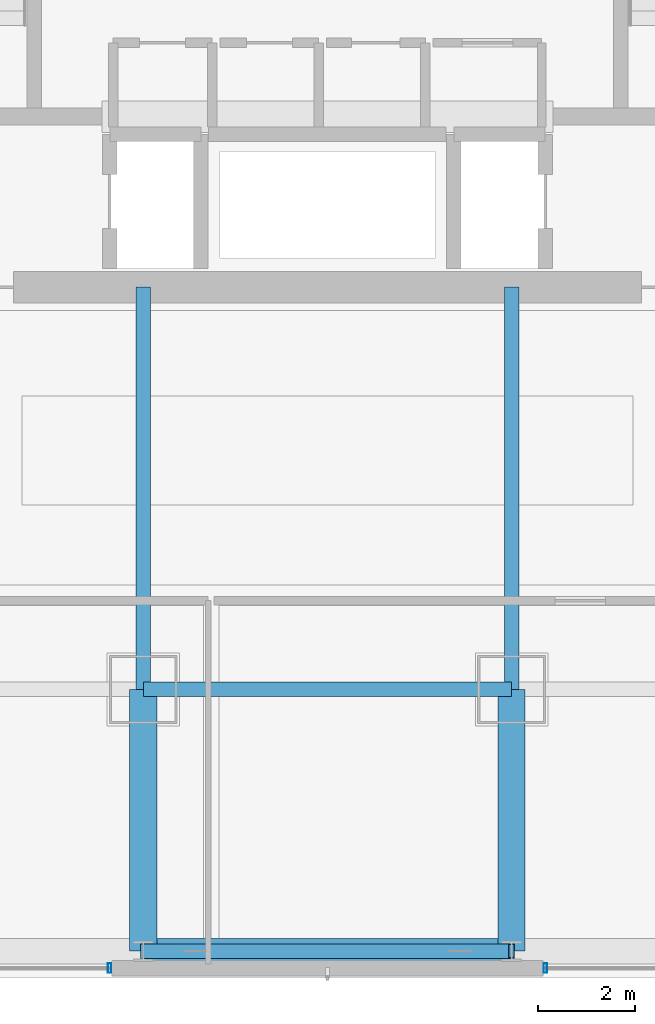
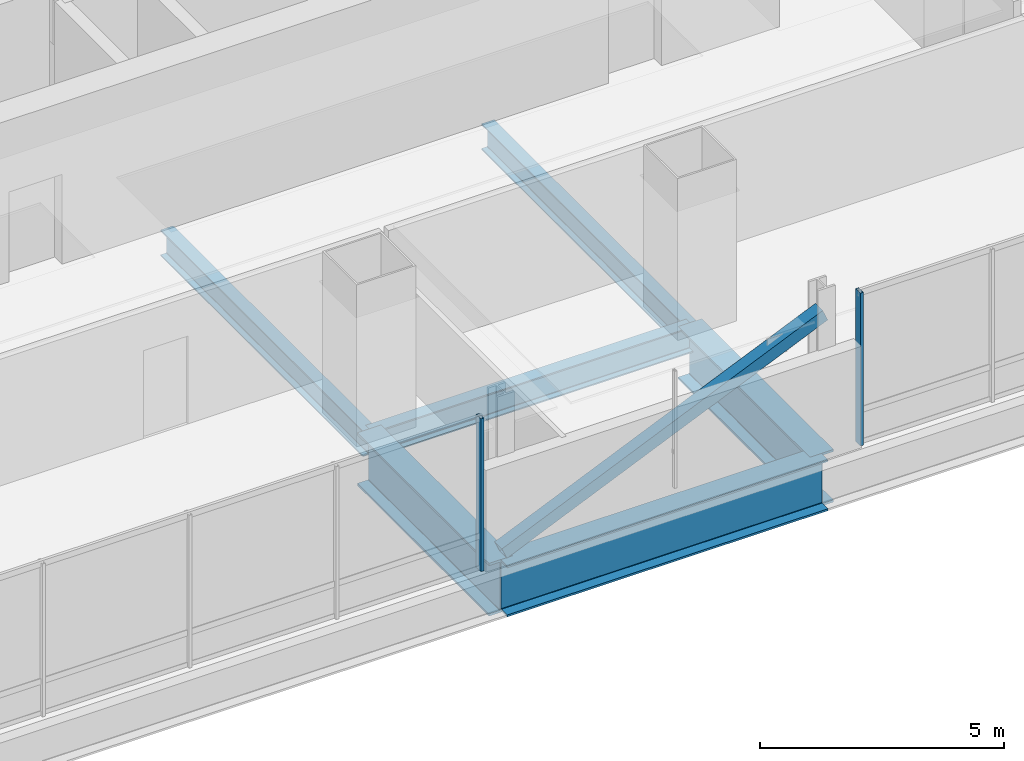
# One storey, part 7 of 38: 6 beams, 3 members, 2 elements without a shape of their own.
"""IFC4 building model written with IfcOpenShell, lengths in metres."""

from ifc_helpers import new_model, si_unit, direction, frame, origin, origin_2d, place, context, subcontext, project, spatial, hollow_rectangle, i_section, extrude, material, material_profile, profile_set, type_object, element, aggregate, save


model = new_model("IFC4")

# Units and contexts
model_context = context("Model", 3, precision=1e-05, world=origin(), true_north=direction((0.0, 1.0)))
body_context = subcontext(model_context, "Body", "Model", "MODEL_VIEW")
ifc_project = project(units=[si_unit("LENGTHUNIT", "METRE"), si_unit("AREAUNIT", "SQUARE_METRE"), si_unit("VOLUMEUNIT", "CUBIC_METRE"), si_unit("PLANEANGLEUNIT", "RADIAN"), si_unit("MASSUNIT", "GRAM", prefix="KILO")], contexts=[model_context])

# Site, building, storey
site_placement = place(None, origin())
site = spatial("IfcSite", under=ifc_project, at=site_placement, CompositionType="ELEMENT")
building_placement = place(site_placement, origin())
building = spatial("IfcBuilding", under=site, at=building_placement, Name="Punatoya Terracotta Tower", CompositionType="ELEMENT")
storey_placement = place(building_placement, frame((0.0, 0.0, 188.39990234375)))
storey = spatial("IfcBuildingStorey", under=building, at=storey_placement, Name="L44", CompositionType="ELEMENT", Elevation=188.39990234375)

# Beams
ifc_material_1 = material(Name="Steel S355", Category="steel")
ifc_material_profile_1 = material_profile(ifc_material_1, i_section(OverallWidth=0.300048828125, OverallDepth=0.64990234375, WebThickness=0.01611328125, FlangeThickness=0.031005859375, FilletRadius=0.01806640625, at=origin_2d()))
ifc_profile_set_1 = profile_set([ifc_material_profile_1], Name="Steel S355")
beam_type_1 = type_object("IfcBeamType", Name="BM-PRI-650", PredefinedType="BEAM", material=ifc_profile_set_1)
beam_1_placement = place(storey_placement, frame((-3.800048828125, -17.5, -0.544921875), z_axis=(1.0, 0.0, 0.0), x_axis=(0.0, 1.0, 0.0)))
element("IfcBeam", 1, at=beam_1_placement, inside=storey, type_object=beam_type_1, Name="BM-L44-RG-S2", PredefinedType="BEAM", context=body_context, shape_type="SweptSolid", body=[
    extrude(i_section(OverallWidth=0.300048828125, OverallDepth=0.64990234375, WebThickness=0.01611328125, FlangeThickness=0.031005859375, FilletRadius=0.01806640625, at=origin_2d()), origin(), (0.0, 0.0, 1.0), 7.60009765625),
])
for number, where, z_axis, x_axis, name in (
    (2, (-3.800048828125, -17.5, -0.544921875), (0.0, 1.0, 0.0), (-1.0, 0.0, 0.0), "BM-L44-PR-S2"),
    (3, (3.800048828125, -17.5, -0.544921875), (0.0, 1.0, 0.0), (-1.0, 0.0, 0.0), "BM-L44-PR-S3"),
):
    element("IfcBeam", number, at=place(storey_placement, frame(where, z_axis=z_axis, x_axis=x_axis)), inside=storey, type_object=beam_type_1, Name=name, PredefinedType="BEAM", context=body_context, shape_type="SweptSolid", body=[
        extrude(i_section(OverallWidth=0.300048828125, OverallDepth=0.64990234375, WebThickness=0.01611328125, FlangeThickness=0.031005859375, FilletRadius=0.01806640625, at=origin_2d()), origin(), (0.0, 0.0, 1.0), 8.300048828125),
    ])
ifc_material_2 = material(Name="Steel S460", Category="steel")
ifc_material_profile_2 = material_profile(ifc_material_2, i_section(OverallWidth=0.56005859375, OverallDepth=1.320068359375, WebThickness=0.035888671875, FlangeThickness=0.054931640625, FilletRadius=0.01806640625, at=origin_2d()))
ifc_profile_set_2 = profile_set([ifc_material_profile_2], Name="Steel S460")
beam_type_2 = type_object("IfcBeamType", Name="BM-TG-BLK", PredefinedType="BEAM", material=ifc_profile_set_2)
for number, where, z_axis, x_axis, name in (
    (4, (-3.800048828125, -22.89990234375, -0.8798828125), (0.0, 1.0, 0.0), (-1.0, 0.0, 0.0), "BM-L44-CANT-S2"),
    (5, (3.800048828125, -22.89990234375, -0.8798828125), (0.0, 1.0, 0.0), (-1.0, 0.0, 0.0), "BM-L44-CANT-S3"),
):
    element("IfcBeam", number, at=place(storey_placement, frame(where, z_axis=z_axis, x_axis=x_axis)), inside=storey, type_object=beam_type_2, Name=name, PredefinedType="BEAM", context=body_context, shape_type="SweptSolid", body=[
        extrude(i_section(OverallWidth=0.56005859375, OverallDepth=1.320068359375, WebThickness=0.035888671875, FlangeThickness=0.054931640625, FilletRadius=0.01806640625, at=origin_2d()), origin(), (0.0, 0.0, 1.0), 5.39990234375),
    ])
ifc_material_profile_3 = material_profile(ifc_material_2, i_section(OverallWidth=0.52001953125, OverallDepth=1.280029296875, WebThickness=0.031982421875, FlangeThickness=0.050048828125, FilletRadius=0.01806640625, at=origin_2d()))
ifc_profile_set_3 = profile_set([ifc_material_profile_3], Name="Steel S460")
beam_type_3 = type_object("IfcBeamType", Name="BM-TG-NCK", PredefinedType="BEAM", material=ifc_profile_set_3)
beam_2_placement = place(storey_placement, frame((-3.800048828125, -22.89990234375, -0.85986328125), z_axis=(1.0, 0.0, 0.0), x_axis=(0.0, 1.0, 0.0)))
element("IfcBeam", 6, at=beam_2_placement, inside=storey, type_object=beam_type_3, Name="BM-L44-PER-S2", PredefinedType="BEAM", context=body_context, shape_type="SweptSolid", body=[
    extrude(i_section(OverallWidth=0.52001953125, OverallDepth=1.280029296875, WebThickness=0.031982421875, FlangeThickness=0.050048828125, FilletRadius=0.01806640625, at=origin_2d()), origin(), (0.0, 0.0, 1.0), 7.60009765625),
])

# Curtain wall, member
ifc_material_3 = material(Name="Aluminium 6063-T6 + Double Low-E Glass", Category="aluminium")
curtain_wall_type = type_object("IfcCurtainWallType", Name="CW-M2", PredefinedType="NOTDEFINED", material=ifc_material_3)
curtain_wall_1_placement = place(storey_placement, origin())
curtain_wall_1 = element("IfcCurtainWall", 7, at=curtain_wall_1_placement, inside=storey, type_object=curtain_wall_type, Name="L44 Curtain Wall CW-L44-S01-1", PredefinedType="NOTDEFINED")
ifc_material_4 = material(Name="Aluminium 6063-T6", Category="aluminium")
ifc_material_profile_4 = material_profile(ifc_material_4, hollow_rectangle(XDim=0.072021484375, YDim=0.195068359375, WallThickness=0.00439453125, at=origin_2d()))
ifc_profile_set_4 = profile_set([ifc_material_profile_4], Name="Aluminium 6063-T6")
member_type_1 = type_object("IfcMemberType", Name="CW-MUL-M2", PredefinedType="MULLION", material=ifc_profile_set_4)
member_1_placement = place(storey_placement, frame((-4.4951171875, -23.25, 0.0), z_axis=(0.0, 0.0, 1.0), x_axis=(1.0, 0.0, 0.0)))
member_1 = element("IfcMember", 8, at=member_1_placement, type_object=member_type_1, Name="CW-L44-S01-1 Mullion 05", PredefinedType="MULLION", context=body_context, shape_type="SweptSolid", body=[
    extrude(hollow_rectangle(XDim=0.072021484375, YDim=0.195068359375, WallThickness=0.00439453125, at=origin_2d()), origin(), (0.0, 0.0, 1.0), 3.830078125),
])
aggregate(curtain_wall_1, [member_1])

curtain_wall_2_placement = place(storey_placement, origin())
curtain_wall_2 = element("IfcCurtainWall", 9, at=curtain_wall_2_placement, inside=storey, type_object=curtain_wall_type, Name="L44 Curtain Wall CW-L44-S01-2", PredefinedType="NOTDEFINED")
member_2_placement = place(storey_placement, frame((4.4951171875, -23.25, 0.0), z_axis=(0.0, 0.0, 1.0), x_axis=(1.0, 0.0, 0.0)))
member_2 = element("IfcMember", 10, at=member_2_placement, type_object=member_type_1, Name="CW-L44-S01-2 Mullion 00", PredefinedType="MULLION", context=body_context, shape_type="SweptSolid", body=[
    extrude(hollow_rectangle(XDim=0.072021484375, YDim=0.195068359375, WallThickness=0.00439453125, at=origin_2d()), origin(), (0.0, 0.0, 1.0), 3.830078125),
])
aggregate(curtain_wall_2, [member_2])

# Member
ifc_material_profile_5 = material_profile(ifc_material_1, hollow_rectangle(XDim=0.300048828125, YDim=0.300048828125, WallThickness=0.01611328125, at=origin_2d()))
ifc_profile_set_5 = profile_set([ifc_material_profile_5], Name="Steel S355")
member_type_2 = type_object("IfcMemberType", Name="MEM-WND-300", PredefinedType="BRACE", material=ifc_profile_set_5)
member_3_placement = place(storey_placement, frame((-3.800048828125, -22.89990234375, 0.02001953125), z_axis=(0.916819844003, 0.0, 0.399301106489), x_axis=(0.0, 1.0, 0.0)))
element("IfcMember", 11, at=member_3_placement, inside=storey, type_object=member_type_2, Name="L44 Perimeter Wind Brace S2", PredefinedType="BRACE", context=body_context, shape_type="SweptSolid", body=[
    extrude(hollow_rectangle(XDim=0.300048828125, YDim=0.300048828125, WallThickness=0.01611328125, at=origin_2d()), origin(), (0.0, 0.0, 1.0), 8.28955078125),
])

save(model, "model.ifc")
